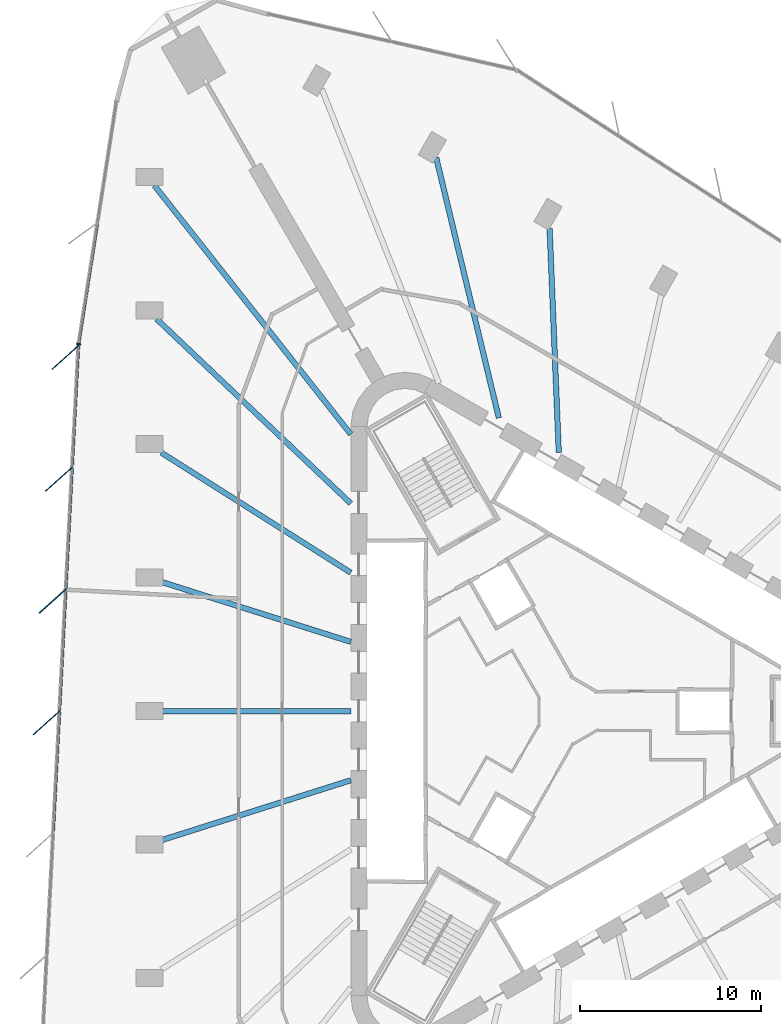
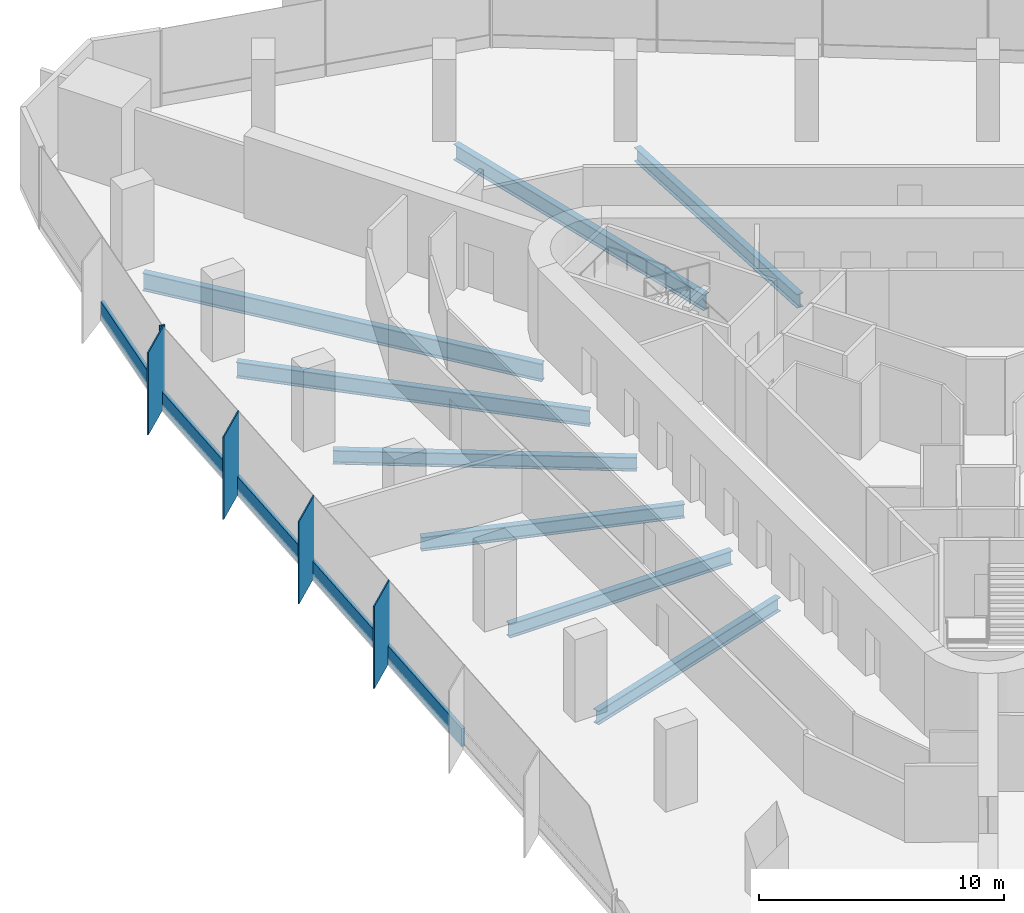
# One storey, part 4 of 14: 10 members, 8 beams, 2 elements without a shape of their own.
"""IFC4 building model written with IfcOpenShell, lengths in metres."""

from ifc_helpers import new_model, si_unit, direction, frame, origin, origin_2d, place, context, subcontext, project, spatial, rectangle, i_section, extrude, material, material_profile, profile_set, type_object, element, aggregate, save


model = new_model("IFC4")

# Units and contexts
model_context = context("Model", 3, precision=1e-05, world=origin(), true_north=direction((0.0, 1.0)))
body_context = subcontext(model_context, "Body", "Model", "MODEL_VIEW")
ifc_project = project(units=[si_unit("LENGTHUNIT", "METRE"), si_unit("AREAUNIT", "SQUARE_METRE"), si_unit("VOLUMEUNIT", "CUBIC_METRE"), si_unit("PLANEANGLEUNIT", "RADIAN"), si_unit("MASSUNIT", "GRAM", prefix="KILO")], contexts=[model_context])

# Site, building, storey
site_placement = place(None, origin())
site = spatial("IfcSite", under=ifc_project, at=site_placement, CompositionType="ELEMENT")
building_placement = place(site_placement, origin())
building = spatial("IfcBuilding", under=site, at=building_placement, Name="Tanit Gate Tower", CompositionType="ELEMENT")
storey_placement = place(building_placement, frame((0.0, 0.0, 70.10009765625)))
storey = spatial("IfcBuildingStorey", under=building, at=storey_placement, Name="L13", CompositionType="ELEMENT", Elevation=70.10009765625)

# Curtain wall, members
ifc_material_1 = material(Name="Aluminium bronze anodised and glass", Category="aluminium")
curtain_wall_type = type_object("IfcCurtainWallType", Name="Curtain wall typical low", PredefinedType="NOTDEFINED", material=ifc_material_1)
curtain_wall_1_placement = place(storey_placement, origin())
curtain_wall_1 = element("IfcCurtainWall", 1, at=curtain_wall_1_placement, inside=storey, type_object=curtain_wall_type, Name="Curtain wall L13 W2", PredefinedType="NOTDEFINED")
ifc_material_2 = material(Name="Aluminium bronze anodised", Category="aluminium")
ifc_material_profile_1 = material_profile(ifc_material_2, rectangle(XDim=2.0, YDim=0.055908203125, at=origin_2d()), Name="56x2000 bronze fin mullion")
ifc_profile_set_1 = profile_set([ifc_material_profile_1], Name="Aluminium bronze anodised")
member_type_1 = type_object("IfcMemberType", Name="FIN MULLION 56x2000 bronze", PredefinedType="MULLION", material=ifc_profile_set_1)
member_1_placement = place(storey_placement, frame((-27.902587890625, 19.58984375, -0.300048828125), z_axis=(0.0, 0.0, 1.0), x_axis=(0.742829073656, 0.66948111798, 0.0)))
member_1 = element("IfcMember", 2, at=member_1_placement, type_object=member_type_1, Name="Fin mullion L13 W2.1", PredefinedType="MULLION", context=body_context, shape_type="SweptSolid", body=[
    extrude(rectangle(XDim=2.0, YDim=0.055908203125, at=origin_2d()), origin(), (0.0, 0.0, 1.0), 4.099853515625),
])
member_2_placement = place(storey_placement, frame((-28.253173828125, 12.84228515625, -0.300048828125), z_axis=(0.0, 0.0, 1.0), x_axis=(0.742829073656, 0.66948111798, 0.0)))
member_2 = element("IfcMember", 3, at=member_2_placement, type_object=member_type_1, Name="Fin mullion L13 W2.2", PredefinedType="MULLION", context=body_context, shape_type="SweptSolid", body=[
    extrude(rectangle(XDim=2.0, YDim=0.055908203125, at=origin_2d()), origin(), (0.0, 0.0, 1.0), 4.099853515625),
])
member_3_placement = place(storey_placement, frame((-28.603515625, 6.0947265625, -0.300048828125), z_axis=(0.0, 0.0, 1.0), x_axis=(0.742829073656, 0.66948111798, 0.0)))
member_3 = element("IfcMember", 4, at=member_3_placement, type_object=member_type_1, Name="Fin mullion L13 W2.3", PredefinedType="MULLION", context=body_context, shape_type="SweptSolid", body=[
    extrude(rectangle(XDim=2.0, YDim=0.055908203125, at=origin_2d()), origin(), (0.0, 0.0, 1.0), 4.099853515625),
])
member_4_placement = place(storey_placement, frame((-28.953857421875, -0.65283203125, -0.300048828125), z_axis=(0.0, 0.0, 1.0), x_axis=(0.742829073656, 0.66948111798, 0.0)))
member_4 = element("IfcMember", 5, at=member_4_placement, type_object=member_type_1, Name="Fin mullion L13 W2.4", PredefinedType="MULLION", context=body_context, shape_type="SweptSolid", body=[
    extrude(rectangle(XDim=2.0, YDim=0.055908203125, at=origin_2d()), origin(), (0.0, 0.0, 1.0), 4.099853515625),
])

# Curtain wall, member
curtain_wall_2_placement = place(storey_placement, origin())
curtain_wall_2 = element("IfcCurtainWall", 6, at=curtain_wall_2_placement, inside=storey, type_object=curtain_wall_type, Name="Curtain wall L13 W1", PredefinedType="NOTDEFINED")
ifc_material_3 = material(Name="Aluminium bronze anodised", Category="aluminium")
ifc_material_profile_2 = material_profile(ifc_material_3, rectangle(XDim=0.239990234375, YDim=0.080078125, at=origin_2d()), Name="80x240 bronze mullion")
ifc_profile_set_2 = profile_set([ifc_material_profile_2], Name="Aluminium bronze anodised")
member_type_2 = type_object("IfcMemberType", Name="Mullion 80x240 typical low", PredefinedType="MULLION", material=ifc_profile_set_2)
member_5_placement = place(storey_placement, frame((-27.16845703125, 20.32373046875, -0.300048828125), z_axis=(0.0, 0.0, 1.0), x_axis=(0.988076704336, -0.153962418624, 0.0)))
member_5 = element("IfcMember", 7, at=member_5_placement, type_object=member_type_2, Name="Mullion L13 W1.3", PredefinedType="MULLION", context=body_context, shape_type="SweptSolid", body=[
    extrude(rectangle(XDim=0.239990234375, YDim=0.080078125, at=origin_2d()), origin(), (0.0, 0.0, 1.0), 4.099853515625),
])

# Beams
ifc_material_4 = material(Name="Steel S355", Category="steel")
ifc_material_profile_3 = material_profile(ifc_material_4, i_section(OverallWidth=0.300048828125, OverallDepth=0.68994140625, WebThickness=0.014404296875, FlangeThickness=0.027099609375, FilletRadius=0.027099609375, at=origin_2d()), Name="HEA 700")
ifc_profile_set_3 = profile_set([ifc_material_profile_3], Name="Steel S355")
beam_type_1 = type_object("IfcBeamType", Name="RADIAL GIRDER HEA 700 S355", PredefinedType="BEAM", material=ifc_profile_set_3)
beam_1_placement = place(storey_placement, frame((-22.594482421875, -7.15380859375, -0.64501953125), z_axis=(0.953357440279, 0.301843653346, 0.0), x_axis=(-0.301843653346, 0.953357440279, 0.0)))
element("IfcBeam", 8, at=beam_1_placement, inside=storey, type_object=beam_type_1, Name="RADIAL GIRDER", PredefinedType="BEAM", context=body_context, shape_type="SweptSolid", body=[
    extrude(i_section(OverallWidth=0.300048828125, OverallDepth=0.68994140625, WebThickness=0.014404296875, FlangeThickness=0.027099609375, FilletRadius=0.027099609375, at=origin_2d()), origin(), (0.0, 0.0, 1.0), 11.005859375),
])
for number, where, z_axis, x_axis, name in (
    (9, (-1.09375, 26.721435546875, -0.64501953125), (0.040888907348, -0.999163698928, 0.0), (0.999163698928, 0.040888907348, 0.0), "RADIAL GIRDER"),
    (10, (-22.594482421875, 14.30810546875, -0.64501953125), (0.844843658907, -0.535013263392, 0.0), (0.535013263392, 0.844843658907, 0.0), "RADIAL GIRDER"),
):
    element("IfcBeam", number, at=place(storey_placement, frame(where, z_axis=z_axis, x_axis=x_axis)), inside=storey, type_object=beam_type_1, Name=name, PredefinedType="BEAM", context=body_context, shape_type="SweptSolid", body=[
        extrude(i_section(OverallWidth=0.300048828125, OverallDepth=0.68994140625, WebThickness=0.014404296875, FlangeThickness=0.027099609375, FilletRadius=0.027099609375, at=origin_2d()), origin(), (0.0, 0.0, 1.0), 12.41943359375),
    ])
beam_2_placement = place(storey_placement, frame((-22.594482421875, 7.15380859375, -0.64501953125), z_axis=(0.953357440279, -0.301843653346, 0.0), x_axis=(0.301843653346, 0.953357440279, 0.0)))
element("IfcBeam", 11, at=beam_2_placement, inside=storey, type_object=beam_type_1, Name="RADIAL GIRDER", PredefinedType="BEAM", context=body_context, shape_type="SweptSolid", body=[
    extrude(i_section(OverallWidth=0.300048828125, OverallDepth=0.68994140625, WebThickness=0.014404296875, FlangeThickness=0.027099609375, FilletRadius=0.027099609375, at=origin_2d()), origin(), (0.0, 0.0, 1.0), 11.005859375),
])
beam_3_placement = place(storey_placement, frame((-22.594482421875, 0.0, -0.64501953125), z_axis=(1.0, 0.0, 0.0), x_axis=(0.0, 1.0, 0.0)))
element("IfcBeam", 12, at=beam_3_placement, inside=storey, type_object=beam_type_1, Name="RADIAL GIRDER", PredefinedType="BEAM", context=body_context, shape_type="SweptSolid", body=[
    extrude(i_section(OverallWidth=0.300048828125, OverallDepth=0.68994140625, WebThickness=0.014404296875, FlangeThickness=0.027099609375, FilletRadius=0.027099609375, at=origin_2d()), origin(), (0.0, 0.0, 1.0), 10.492431640625),
])
ifc_material_5 = material(Name="Steel S355", Category="steel")
ifc_material_profile_4 = material_profile(ifc_material_5, i_section(OverallWidth=0.300048828125, OverallDepth=0.7900390625, WebThickness=0.014892578125, FlangeThickness=0.028076171875, FilletRadius=0.030029296875, at=origin_2d()), Name="HEA 800")
ifc_profile_set_4 = profile_set([ifc_material_profile_4], Name="Steel S355")
beam_type_2 = type_object("IfcBeamType", Name="RADIAL GIRDER HEA 800 S355", PredefinedType="BEAM", material=ifc_profile_set_4)
beam_4_placement = place(storey_placement, frame((-7.3701171875, 30.633544921875, -0.695068359375), z_axis=(0.233918851889, -0.972256124039, 0.0), x_axis=(0.972256124039, 0.233918851889, 0.0)))
element("IfcBeam", 13, at=beam_4_placement, inside=storey, type_object=beam_type_2, Name="RADIAL GIRDER", PredefinedType="BEAM", context=body_context, shape_type="SweptSolid", body=[
    extrude(i_section(OverallWidth=0.300048828125, OverallDepth=0.7900390625, WebThickness=0.014892578125, FlangeThickness=0.028076171875, FilletRadius=0.030029296875, at=origin_2d()), origin(), (0.0, 0.0, 1.0), 14.81640625),
])
beam_5_placement = place(storey_placement, frame((-22.844482421875, 21.69921875, -0.695068359375), z_axis=(0.725048389389, -0.688697925831, 0.0), x_axis=(0.688697925831, 0.725048389389, 0.0)))
element("IfcBeam", 14, at=beam_5_placement, inside=storey, type_object=beam_type_2, Name="RADIAL GIRDER", PredefinedType="BEAM", context=body_context, shape_type="SweptSolid", body=[
    extrude(i_section(OverallWidth=0.300048828125, OverallDepth=0.7900390625, WebThickness=0.014892578125, FlangeThickness=0.028076171875, FilletRadius=0.030029296875, at=origin_2d()), origin(), (0.0, 0.0, 1.0), 14.816162109375),
])
ifc_material_6 = material(Name="Steel S355", Category="steel")
ifc_material_profile_5 = material_profile(ifc_material_6, i_section(OverallWidth=0.300048828125, OverallDepth=0.889892578125, WebThickness=0.01611328125, FlangeThickness=0.030029296875, FilletRadius=0.030029296875, at=origin_2d()), Name="HEA 900")
ifc_profile_set_5 = profile_set([ifc_material_profile_5], Name="Steel S355")
beam_type_3 = type_object("IfcBeamType", Name="RADIAL GIRDER HEA 900 S355", PredefinedType="BEAM", material=ifc_profile_set_5)
beam_6_placement = place(storey_placement, frame((-22.969482421875, 29.0908203125, -0.7451171875), z_axis=(0.619692585411, -0.784844634043, 0.0), x_axis=(0.784844634043, 0.619692585411, 0.0)))
element("IfcBeam", 15, at=beam_6_placement, inside=storey, type_object=beam_type_3, Name="RADIAL GIRDER", PredefinedType="BEAM", context=body_context, shape_type="SweptSolid", body=[
    extrude(i_section(OverallWidth=0.300048828125, OverallDepth=0.889892578125, WebThickness=0.01611328125, FlangeThickness=0.030029296875, FilletRadius=0.030029296875, at=origin_2d()), origin(), (0.0, 0.0, 1.0), 17.536865234375),
])

# Member
ifc_material_7 = material(Name="Aluminium bronze anodised", Category="aluminium")
ifc_material_profile_6 = material_profile(ifc_material_7, rectangle(XDim=0.159912109375, YDim=0.89990234375, at=origin_2d()), Name="160x900 bronze transom")
ifc_profile_set_6 = profile_set([ifc_material_profile_6], Name="Aluminium bronze anodised")
member_type_3 = type_object("IfcMemberType", Name="Transom 160x900 typical low", PredefinedType="USERDEFINED", material=ifc_profile_set_6)
member_6_placement = place(storey_placement, frame((-26.12744140625, 27.00390625, 0.14990234375), z_axis=(-0.153986803013, -0.988072904445, 0.0), x_axis=(0.988072904445, -0.153986803013, 0.0)))
member_6 = element("IfcMember", 16, at=member_6_placement, type_object=member_type_3, Name="Transom L13 W1.2", ObjectType="TRANSOM", PredefinedType="USERDEFINED", context=body_context, shape_type="SweptSolid", body=[
    extrude(rectangle(XDim=0.159912109375, YDim=0.89990234375, at=origin_2d()), origin(), (0.0, 0.0, 1.0), 6.720703125),
])

aggregate(curtain_wall_2, [member_5, member_6])

member_7_placement = place(storey_placement, frame((-27.1787109375, 20.204345703125, 0.14990234375), z_axis=(-0.051850630851, -0.998654851328, 0.0), x_axis=(0.998654851328, -0.051850630851, 0.0)))
member_7 = element("IfcMember", 17, at=member_7_placement, type_object=member_type_3, Name="Transom L13 W2.1", ObjectType="TRANSOM", PredefinedType="USERDEFINED", context=body_context, shape_type="SweptSolid", body=[
    extrude(rectangle(XDim=0.159912109375, YDim=0.89990234375, at=origin_2d()), origin(), (0.0, 0.0, 1.0), 6.6767578125),
])

member_8_placement = place(storey_placement, frame((-27.529052734375, 13.45654296875, 0.14990234375), z_axis=(-0.051887098471, -0.998652957244, 0.0), x_axis=(0.998652957244, -0.051887098471, 0.0)))
member_8 = element("IfcMember", 18, at=member_8_placement, type_object=member_type_3, Name="Transom L13 W2.2", ObjectType="TRANSOM", PredefinedType="USERDEFINED", context=body_context, shape_type="SweptSolid", body=[
    extrude(rectangle(XDim=0.159912109375, YDim=0.89990234375, at=origin_2d()), origin(), (0.0, 0.0, 1.0), 6.6767578125),
])

member_9_placement = place(storey_placement, frame((-27.879638671875, 6.708984375, 0.14990234375), z_axis=(-0.051850630851, -0.998654851328, 0.0), x_axis=(0.998654851328, -0.051850630851, 0.0)))
member_9 = element("IfcMember", 19, at=member_9_placement, type_object=member_type_3, Name="Transom L13 W2.3", ObjectType="TRANSOM", PredefinedType="USERDEFINED", context=body_context, shape_type="SweptSolid", body=[
    extrude(rectangle(XDim=0.159912109375, YDim=0.89990234375, at=origin_2d()), origin(), (0.0, 0.0, 1.0), 6.6767578125),
])

member_10_placement = place(storey_placement, frame((-28.22998046875, -0.03857421875, 0.14990234375), z_axis=(-0.051850630851, -0.998654851328, 0.0), x_axis=(0.998654851328, -0.051850630851, 0.0)))
member_10 = element("IfcMember", 20, at=member_10_placement, type_object=member_type_3, Name="Transom L13 W2.4", ObjectType="TRANSOM", PredefinedType="USERDEFINED", context=body_context, shape_type="SweptSolid", body=[
    extrude(rectangle(XDim=0.159912109375, YDim=0.89990234375, at=origin_2d()), origin(), (0.0, 0.0, 1.0), 6.6767578125),
])

aggregate(curtain_wall_1, [member_1, member_2, member_3, member_4, member_7, member_8, member_9, member_10])

save(model, "model.ifc")
